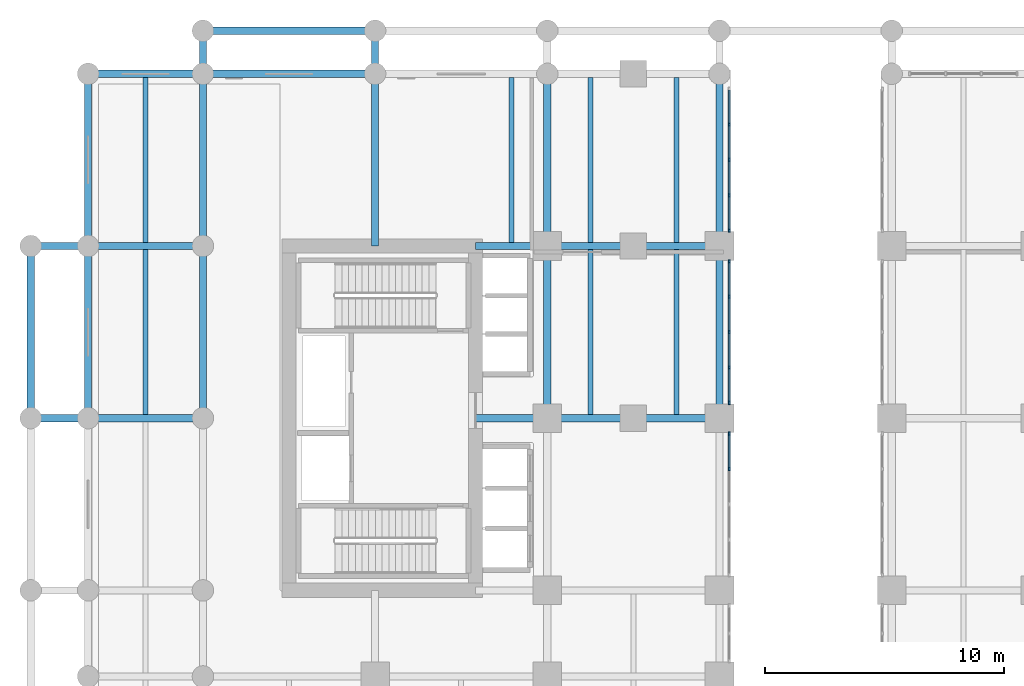
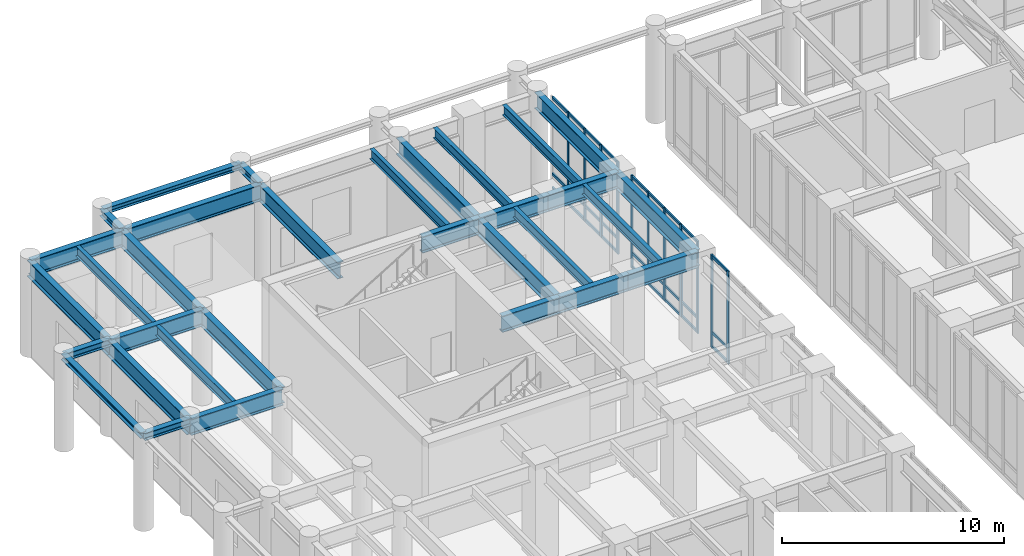
# One storey, part 6 of 24: 38 members, 32 beams, 3 elements without a shape of their own.
"""IFC4 building model written with IfcOpenShell, lengths in metres."""

from ifc_helpers import new_model, si_unit, derived_unit, direction, frame, origin, origin_2d, place, context, subcontext, project, spatial, rectangle, i_section, extrude, source, transform, mapped, material, layer, layer_set, material_profile, profile_set, type_object, type_shapes, element, aggregate, save


model = new_model("IFC4")

# Units and contexts
model_context = context("Model", 3, precision=1e-05, world=origin(), true_north=direction((0.0, 1.0)))
body_context = subcontext(model_context, "Body", "Model", "MODEL_VIEW")
ifc_project = project(units=[si_unit("LENGTHUNIT", "METRE"), si_unit("AREAUNIT", "SQUARE_METRE"), si_unit("VOLUMEUNIT", "CUBIC_METRE"), si_unit("PLANEANGLEUNIT", "RADIAN"), si_unit("MASSUNIT", "GRAM", prefix="KILO"), si_unit("THERMODYNAMICTEMPERATUREUNIT", "KELVIN"), si_unit("POWERUNIT", "WATT"), derived_unit("THERMALTRANSMITTANCEUNIT", [(si_unit("POWERUNIT", "WATT"), 1), (si_unit("AREAUNIT", "SQUARE_METRE"), -1), (si_unit("THERMODYNAMICTEMPERATUREUNIT", "KELVIN"), -1)])], contexts=[model_context])

# Site, building, storey
site_placement = place(None, origin())
site = spatial("IfcSite", under=ifc_project, at=site_placement, CompositionType="ELEMENT")
building_placement = place(site_placement, origin())
building = spatial("IfcBuilding", under=site, at=building_placement, Name="Zahravan Archway Hotel and Residences", CompositionType="ELEMENT")
storey_placement = place(building_placement, frame((0.0, 0.0, 10.800048828125)))
storey = spatial("IfcBuildingStorey", under=building, at=storey_placement, Name="L02", CompositionType="ELEMENT", Elevation=10.800048828125)

# Beams
ifc_material_1 = material(Name="Structural Steel S355J2", Category="steel")
ifc_material_profile_1 = material_profile(ifc_material_1, i_section(OverallWidth=0.300048828125, OverallDepth=0.89990234375, WebThickness=0.0185546875, FlangeThickness=0.034912109375, FilletRadius=0.030029296875, at=origin_2d()), Name="HEB 900", Category="steel")
ifc_profile_set_1 = profile_set([ifc_material_profile_1], Name="Structural Steel S355J2")
beam_type_1 = type_object("IfcBeamType", Name="BM-PRI-HEB900", PredefinedType="BEAM", material=ifc_profile_set_1)
shared_shape_1 = source(origin(), body_context, "Body", "SweptSolid", [
    extrude(i_section(OverallWidth=0.300048828125, OverallDepth=0.89990234375, WebThickness=0.0185546875, FlangeThickness=0.034912109375, FilletRadius=0.030029296875, at=origin_2d()), origin(), (0.0, 0.0, 1.0), 4.800048828125),
])
type_shapes(beam_type_1, [shared_shape_1])
for number, where, z_axis, x_axis, name in (
    (1, (-4.800048828125, 32.39990234375, 4.64990234375), (1.0, 0.0, 0.0), (0.0, 1.0, 0.0), "L02 Primary Girder EW-41"),
    (2, (-4.800048828125, 39.60009765625, 4.64990234375), (1.0, 0.0, 0.0), (0.0, 1.0, 0.0), "L02 Primary Girder EW-46"),
    (3, (-4.800048828125, 46.800048828125, 4.64990234375), (1.0, 0.0, 0.0), (0.0, 1.0, 0.0), "L02 Primary Girder EW-51"),
):
    element("IfcBeam", number, at=place(storey_placement, frame(where, z_axis=z_axis, x_axis=x_axis)), inside=storey, type_object=beam_type_1, Name=name, PredefinedType="BEAM", context=body_context, shape_type="MappedRepresentation", body=[
        mapped(shared_shape_1, transform((0.0, 0.0, 0.0), scale=1.0)),
    ])
shared_shape_2 = source(origin(), body_context, "Body", "SweptSolid", [
    extrude(i_section(OverallWidth=0.300048828125, OverallDepth=0.89990234375, WebThickness=0.0185546875, FlangeThickness=0.034912109375, FilletRadius=0.030029296875, at=origin_2d()), origin(), (0.0, 0.0, 1.0), 7.199951171875),
])
for number, where, z_axis, x_axis, name in (
    (4, (0.0, 46.800048828125, 4.64990234375), (1.0, 0.0, 0.0), (0.0, 1.0, 0.0), "L02 Primary Girder EW-52"),
    (5, (-4.800048828125, 39.60009765625, 4.64990234375), (0.0, 1.0, 0.0), (-1.0, 0.0, 0.0), "L02 Primary Girder NS-68"),
    (6, (0.0, 39.60009765625, 4.64990234375), (0.0, 1.0, 0.0), (-1.0, 0.0, 0.0), "L02 Primary Girder NS-75"),
    (7, (7.199951171875, 39.60009765625, 4.64990234375), (0.0, 1.0, 0.0), (-1.0, 0.0, 0.0), "L02 Primary Girder NS-80"),
    (8, (14.39990234375, 39.60009765625, 4.64990234375), (0.0, 1.0, 0.0), (-1.0, 0.0, 0.0), "L02 Primary Girder NS-87"),
    (9, (21.60009765625, 39.60009765625, 4.64990234375), (0.0, 1.0, 0.0), (-1.0, 0.0, 0.0), "L02 Primary Girder NS-94"),
):
    element("IfcBeam", number, at=place(storey_placement, frame(where, z_axis=z_axis, x_axis=x_axis)), inside=storey, type_object=beam_type_1, Name=name, PredefinedType="BEAM", context=body_context, shape_type="MappedRepresentation", body=[
        mapped(shared_shape_2, transform((0.0, 0.0, 0.0), scale=1.0)),
    ])
shared_shape_3 = source(origin(), body_context, "Body", "SweptSolid", [
    extrude(i_section(OverallWidth=0.300048828125, OverallDepth=0.89990234375, WebThickness=0.0185546875, FlangeThickness=0.034912109375, FilletRadius=0.030029296875, at=origin_2d()), origin(), (0.0, 0.0, 1.0), 7.2001953125),
])
for number, where, z_axis, x_axis, name in (
    (10, (-4.800048828125, 32.39990234375, 4.64990234375), (0.0, 1.0, 0.0), (-1.0, 0.0, 0.0), "L02 Primary Girder NS-67"),
    (11, (0.0, 32.39990234375, 4.64990234375), (0.0, 1.0, 0.0), (-1.0, 0.0, 0.0), "L02 Primary Girder NS-74"),
    (12, (14.39990234375, 32.39990234375, 4.64990234375), (0.0, 1.0, 0.0), (-1.0, 0.0, 0.0), "L02 Primary Girder NS-86"),
    (13, (21.60009765625, 32.39990234375, 4.64990234375), (0.0, 1.0, 0.0), (-1.0, 0.0, 0.0), "L02 Primary Girder NS-93"),
):
    element("IfcBeam", number, at=place(storey_placement, frame(where, z_axis=z_axis, x_axis=x_axis)), inside=storey, type_object=beam_type_1, Name=name, PredefinedType="BEAM", context=body_context, shape_type="MappedRepresentation", body=[
        mapped(shared_shape_3, transform((0.0, 0.0, 0.0), scale=1.0)),
    ])
shared_shape_4 = source(origin(), body_context, "Body", "SweptSolid", [
    extrude(i_section(OverallWidth=0.300048828125, OverallDepth=0.89990234375, WebThickness=0.0185546875, FlangeThickness=0.034912109375, FilletRadius=0.030029296875, at=origin_2d()), origin(), (0.0, 0.0, 1.0), 3.0),
])
for number, where, z_axis, x_axis, name in (
    (14, (11.39990234375, 32.39990234375, 4.64990234375), (1.0, 0.0, 0.0), (0.0, 1.0, 0.0), "L02 Primary Girder EW-42"),
    (15, (11.39990234375, 39.60009765625, 4.64990234375), (1.0, 0.0, 0.0), (0.0, 1.0, 0.0), "L02 Primary Girder EW-47"),
):
    element("IfcBeam", number, at=place(storey_placement, frame(where, z_axis=z_axis, x_axis=x_axis)), inside=storey, type_object=beam_type_1, Name=name, PredefinedType="BEAM", context=body_context, shape_type="MappedRepresentation", body=[
        mapped(shared_shape_4, transform((0.0, 0.0, 0.0), scale=1.0)),
    ])
shared_shape_5 = source(origin(), body_context, "Body", "SweptSolid", [
    extrude(i_section(OverallWidth=0.300048828125, OverallDepth=0.89990234375, WebThickness=0.0185546875, FlangeThickness=0.034912109375, FilletRadius=0.030029296875, at=origin_2d()), origin(), (0.0, 0.0, 1.0), 3.60009765625),
])
for number, where, z_axis, x_axis, name in (
    (16, (14.39990234375, 32.39990234375, 4.64990234375), (1.0, 0.0, 0.0), (0.0, 1.0, 0.0), "L02 Primary Girder EW-43"),
    (17, (18.0, 32.39990234375, 4.64990234375), (1.0, 0.0, 0.0), (0.0, 1.0, 0.0), "L02 Primary Girder EW-44"),
    (18, (14.39990234375, 39.60009765625, 4.64990234375), (1.0, 0.0, 0.0), (0.0, 1.0, 0.0), "L02 Primary Girder EW-48"),
    (19, (18.0, 39.60009765625, 4.64990234375), (1.0, 0.0, 0.0), (0.0, 1.0, 0.0), "L02 Primary Girder EW-49"),
):
    element("IfcBeam", number, at=place(storey_placement, frame(where, z_axis=z_axis, x_axis=x_axis)), inside=storey, type_object=beam_type_1, Name=name, PredefinedType="BEAM", context=body_context, shape_type="MappedRepresentation", body=[
        mapped(shared_shape_5, transform((0.0, 0.0, 0.0), scale=1.0)),
    ])
ifc_material_2 = material(Name="Structural Steel S355JR", Category="steel")
ifc_material_profile_2 = material_profile(ifc_material_2, i_section(OverallWidth=0.2099609375, OverallDepth=0.550048828125, WebThickness=0.010986328125, FlangeThickness=0.01708984375, FilletRadius=0.02392578125, at=origin_2d()), Name="IPE 550", Category="steel")
ifc_profile_set_2 = profile_set([ifc_material_profile_2], Name="Structural Steel S355JR")
beam_type_2 = type_object("IfcBeamType", Name="BM-JST-IPE550", PredefinedType="JOIST", material=ifc_profile_set_2)
shared_shape_6 = source(origin(), body_context, "Body", "SweptSolid", [
    extrude(i_section(OverallWidth=0.2099609375, OverallDepth=0.550048828125, WebThickness=0.010986328125, FlangeThickness=0.01708984375, FilletRadius=0.02392578125, at=origin_2d()), origin(), (0.0, 0.0, 1.0), 6.904052734375),
])
type_shapes(beam_type_2, [shared_shape_6])
for number, where, z_axis, x_axis, name in (
    (20, (-2.39990234375, 39.748046875, 4.824951171875), (0.0, 1.0, 0.0), (-1.0, 0.0, 0.0), "L02 Composite Floor Joist 34"),
    (21, (12.89990234375, 39.748046875, 4.824951171875), (0.0, 1.0, 0.0), (-1.0, 0.0, 0.0), "L02 Composite Floor Joist 35"),
    (22, (16.199951171875, 39.748046875, 4.824951171875), (0.0, 1.0, 0.0), (-1.0, 0.0, 0.0), "L02 Composite Floor Joist 36"),
    (23, (19.800048828125, 39.748046875, 4.824951171875), (0.0, 1.0, 0.0), (-1.0, 0.0, 0.0), "L02 Composite Floor Joist 37"),
):
    element("IfcBeam", number, at=place(storey_placement, frame(where, z_axis=z_axis, x_axis=x_axis)), inside=storey, type_object=beam_type_2, Name=name, PredefinedType="JOIST", context=body_context, shape_type="MappedRepresentation", body=[
        mapped(shared_shape_6, transform((0.0, 0.0, 0.0), scale=1.0)),
    ])
shared_shape_7 = source(origin(), body_context, "Body", "SweptSolid", [
    extrude(i_section(OverallWidth=0.2099609375, OverallDepth=0.550048828125, WebThickness=0.010986328125, FlangeThickness=0.01708984375, FilletRadius=0.02392578125, at=origin_2d()), origin(), (0.0, 0.0, 1.0), 6.90380859375),
])
for number, where, z_axis, x_axis, name in (
    (24, (-2.39990234375, 32.548095703125, 4.824951171875), (0.0, 1.0, 0.0), (-1.0, 0.0, 0.0), "L02 Composite Floor Joist 30"),
    (25, (16.199951171875, 32.548095703125, 4.824951171875), (0.0, 1.0, 0.0), (-1.0, 0.0, 0.0), "L02 Composite Floor Joist 31"),
    (26, (19.800048828125, 32.548095703125, 4.824951171875), (0.0, 1.0, 0.0), (-1.0, 0.0, 0.0), "L02 Composite Floor Joist 32"),
):
    element("IfcBeam", number, at=place(storey_placement, frame(where, z_axis=z_axis, x_axis=x_axis)), inside=storey, type_object=beam_type_2, Name=name, PredefinedType="JOIST", context=body_context, shape_type="MappedRepresentation", body=[
        mapped(shared_shape_7, transform((0.0, 0.0, 0.0), scale=1.0)),
    ])
ifc_material_profile_3 = material_profile(ifc_material_2, i_section(OverallWidth=0.300048828125, OverallDepth=0.39990234375, WebThickness=0.013427734375, FlangeThickness=0.02392578125, FilletRadius=0.027099609375, at=origin_2d()), Name="HEB 400", Category="steel")
ifc_profile_set_3 = profile_set([ifc_material_profile_3], Name="Structural Steel S355JR")
beam_type_3 = type_object("IfcBeamType", Name="BM-PRI-HEB400", PredefinedType="BEAM", material=ifc_profile_set_3)
shared_shape_8 = source(origin(), body_context, "Body", "SweptSolid", [
    extrude(i_section(OverallWidth=0.300048828125, OverallDepth=0.39990234375, WebThickness=0.013427734375, FlangeThickness=0.02392578125, FilletRadius=0.027099609375, at=origin_2d()), origin(), (0.0, 0.0, 1.0), 2.39990234375),
])
for number, where, z_axis, x_axis, name in (
    (27, (-7.199951171875, 32.39990234375, 4.9599609375), (1.0, 0.0, 0.0), (0.0, 1.0, 0.0), "L02 West Colonnade Tie Girder 5"),
    (28, (-7.199951171875, 39.60009765625, 4.9599609375), (1.0, 0.0, 0.0), (0.0, 1.0, 0.0), "L02 West Colonnade Tie Girder 6"),
):
    element("IfcBeam", number, at=place(storey_placement, frame(where, z_axis=z_axis, x_axis=x_axis)), inside=storey, type_object=beam_type_3, Name=name, PredefinedType="BEAM", context=body_context, shape_type="MappedRepresentation", body=[
        mapped(shared_shape_8, transform((0.0, 0.0, 0.0), scale=1.0)),
    ])
ifc_material_profile_4 = material_profile(ifc_material_2, i_section(OverallWidth=0.300048828125, OverallDepth=0.320068359375, WebThickness=0.011474609375, FlangeThickness=0.0205078125, FilletRadius=0.027099609375, at=origin_2d()), Name="HEB 320", Category="steel")
ifc_profile_set_4 = profile_set([ifc_material_profile_4], Name="Structural Steel S355JR")
beam_type_4 = type_object("IfcBeamType", Name="BM-SPN-HEB320", PredefinedType="SPANDREL", material=ifc_profile_set_4)
shared_shape_9 = source(origin(), body_context, "Body", "SweptSolid", [
    extrude(i_section(OverallWidth=0.300048828125, OverallDepth=0.320068359375, WebThickness=0.011474609375, FlangeThickness=0.0205078125, FilletRadius=0.027099609375, at=origin_2d()), origin(), (0.0, 0.0, 1.0), 7.199951171875),
])
type_shapes(beam_type_4, [shared_shape_9])
beam_1_placement = place(storey_placement, frame((0.0, 48.60009765625, 5.0), z_axis=(1.0, 0.0, 0.0), x_axis=(0.0, 1.0, 0.0)))
element("IfcBeam", 29, at=beam_1_placement, inside=storey, type_object=beam_type_4, Name="L02 North Colonnade Spandrel 1", PredefinedType="SPANDREL", context=body_context, shape_type="MappedRepresentation", body=[
    mapped(shared_shape_9, transform((0.0, 0.0, 0.0), scale=1.0)),
])
shared_shape_10 = source(origin(), body_context, "Body", "SweptSolid", [
    extrude(i_section(OverallWidth=0.300048828125, OverallDepth=0.320068359375, WebThickness=0.011474609375, FlangeThickness=0.0205078125, FilletRadius=0.027099609375, at=origin_2d()), origin(), (0.0, 0.0, 1.0), 7.2001953125),
])
beam_2_placement = place(storey_placement, frame((-7.199951171875, 32.39990234375, 5.0), z_axis=(0.0, 1.0, 0.0), x_axis=(-1.0, 0.0, 0.0)))
element("IfcBeam", 30, at=beam_2_placement, inside=storey, type_object=beam_type_4, Name="L02 West Colonnade Spandrel 5", PredefinedType="SPANDREL", context=body_context, shape_type="MappedRepresentation", body=[
    mapped(shared_shape_10, transform((0.0, 0.0, 0.0), scale=1.0)),
])
shared_shape_11 = source(origin(), body_context, "Body", "SweptSolid", [
    extrude(i_section(OverallWidth=0.300048828125, OverallDepth=0.39990234375, WebThickness=0.013427734375, FlangeThickness=0.02392578125, FilletRadius=0.027099609375, at=origin_2d()), origin(), (0.0, 0.0, 1.0), 1.800048828125),
])
for number, where, z_axis, x_axis, name in (
    (31, (0.0, 46.800048828125, 4.9599609375), (0.0, 1.0, 0.0), (-1.0, 0.0, 0.0), "L02 North Colonnade Tie Girder 1"),
    (32, (7.199951171875, 46.800048828125, 4.9599609375), (0.0, 1.0, 0.0), (-1.0, 0.0, 0.0), "L02 North Colonnade Tie Girder 2"),
):
    element("IfcBeam", number, at=place(storey_placement, frame(where, z_axis=z_axis, x_axis=x_axis)), inside=storey, type_object=beam_type_3, Name=name, PredefinedType="BEAM", context=body_context, shape_type="MappedRepresentation", body=[
        mapped(shared_shape_11, transform((0.0, 0.0, 0.0), scale=1.0)),
    ])

# Curtain wall, members
ifc_material_3 = material(Name="Bronze-Anodized Unitised Aluminium & Low-E Glass", Category="aluminium")
ifc_layer = layer(ifc_material_3, 0.179931640625, Name="Bronze-Anodized Unitised Aluminium & Low-E Glass", Category="aluminium")
ifc_layer_set = layer_set([ifc_layer], Name="Bronze-Anodized Unitised Aluminium & Low-E Glass")
curtain_wall_type = type_object("IfcCurtainWallType", Name="CW-POD-ARCH", PredefinedType="NOTDEFINED", material=ifc_layer_set)
curtain_wall_1_placement = place(storey_placement, origin())
curtain_wall_1 = element("IfcCurtainWall", 33, at=curtain_wall_1_placement, inside=storey, type_object=curtain_wall_type, Name="L02 Curtain Wall CW-PORTW-L02-7", PredefinedType="NOTDEFINED")
ifc_material_4 = material(Name="Bronze-Anodized Extruded Aluminium", Category="aluminium")
ifc_material_profile_5 = material_profile(ifc_material_4, rectangle(XDim=0.080078125, YDim=0.139892578125, at=origin_2d()), Name="TRN 80x140", Category="aluminium")
ifc_profile_set_5 = profile_set([ifc_material_profile_5], Name="Bronze-Anodized Extruded Aluminium")
member_type_1 = type_object("IfcMemberType", Name="CWM-TRN-140", PredefinedType="USERDEFINED", material=ifc_profile_set_5)
shared_shape_12 = source(origin(), body_context, "Body", "SweptSolid", [
    extrude(rectangle(XDim=0.080078125, YDim=0.139892578125, at=origin_2d()), origin(), (0.0, 0.0, 1.0), 1.397216796875),
])
member_1_placement = place(storey_placement, frame((22.0, 41.7626953125, 0.070068359375), z_axis=(0.0, 1.0, 0.0), x_axis=(-1.0, 0.0, 0.0)))
member_1 = element("IfcMember", 34, at=member_1_placement, type_object=member_type_1, Name="CW-PORTW-L02-7 Transom 1-1", ObjectType="TRANSOM", PredefinedType="USERDEFINED", context=body_context, shape_type="MappedRepresentation", body=[
    mapped(shared_shape_12, transform((0.0, 0.0, 0.0), scale=1.0)),
])
member_2_placement = place(storey_placement, frame((22.0, 41.7626953125, 0.849853515625), z_axis=(0.0, 1.0, 0.0), x_axis=(-1.0, 0.0, 0.0)))
member_2 = element("IfcMember", 35, at=member_2_placement, type_object=member_type_1, Name="CW-PORTW-L02-7 Transom 1-2", ObjectType="TRANSOM", PredefinedType="USERDEFINED", context=body_context, shape_type="MappedRepresentation", body=[
    mapped(shared_shape_12, transform((0.0, 0.0, 0.0), scale=1.0)),
])
member_3_placement = place(storey_placement, frame((22.0, 41.7626953125, 5.030029296875), z_axis=(0.0, 1.0, 0.0), x_axis=(-1.0, 0.0, 0.0)))
member_3 = element("IfcMember", 36, at=member_3_placement, type_object=member_type_1, Name="CW-PORTW-L02-7 Transom 1-3", ObjectType="TRANSOM", PredefinedType="USERDEFINED", context=body_context, shape_type="MappedRepresentation", body=[
    mapped(shared_shape_12, transform((0.0, 0.0, 0.0), scale=1.0)),
])

curtain_wall_2_placement = place(storey_placement, origin())
curtain_wall_2 = element("IfcCurtainWall", 37, at=curtain_wall_2_placement, inside=storey, type_object=curtain_wall_type, Name="L02 Curtain Wall CW-PORTW-L02-5", PredefinedType="NOTDEFINED")
shared_shape_13 = source(origin(), body_context, "Body", "SweptSolid", [
    extrude(rectangle(XDim=0.080078125, YDim=0.139892578125, at=origin_2d()), origin(), (0.0, 0.0, 1.0), 1.3974609375),
])
member_4_placement = place(storey_placement, frame((22.0, 30.3173828125, 0.070068359375), z_axis=(0.0, 1.0, 0.0), x_axis=(-1.0, 0.0, 0.0)))
member_4 = element("IfcMember", 38, at=member_4_placement, type_object=member_type_1, Name="CW-PORTW-L02-5 Transom 3-1", ObjectType="TRANSOM", PredefinedType="USERDEFINED", context=body_context, shape_type="MappedRepresentation", body=[
    mapped(shared_shape_13, transform((0.0, 0.0, 0.0), scale=1.0)),
])
member_5_placement = place(storey_placement, frame((22.0, 30.3173828125, 0.849853515625), z_axis=(0.0, 1.0, 0.0), x_axis=(-1.0, 0.0, 0.0)))
member_5 = element("IfcMember", 39, at=member_5_placement, type_object=member_type_1, Name="CW-PORTW-L02-5 Transom 3-2", ObjectType="TRANSOM", PredefinedType="USERDEFINED", context=body_context, shape_type="MappedRepresentation", body=[
    mapped(shared_shape_13, transform((0.0, 0.0, 0.0), scale=1.0)),
])
member_6_placement = place(storey_placement, frame((22.0, 30.3173828125, 5.030029296875), z_axis=(0.0, 1.0, 0.0), x_axis=(-1.0, 0.0, 0.0)))
member_6 = element("IfcMember", 40, at=member_6_placement, type_object=member_type_1, Name="CW-PORTW-L02-5 Transom 3-3", ObjectType="TRANSOM", PredefinedType="USERDEFINED", context=body_context, shape_type="MappedRepresentation", body=[
    mapped(shared_shape_13, transform((0.0, 0.0, 0.0), scale=1.0)),
])

curtain_wall_3_placement = place(storey_placement, origin())
curtain_wall_3 = element("IfcCurtainWall", 41, at=curtain_wall_3_placement, inside=storey, type_object=curtain_wall_type, Name="L02 Curtain Wall CW-PORTW-L02-6", PredefinedType="NOTDEFINED")
member_7_placement = place(storey_placement, frame((22.0, 33.085205078125, 0.070068359375), z_axis=(0.0, 1.0, 0.0), x_axis=(-1.0, 0.0, 0.0)))
member_7 = element("IfcMember", 42, at=member_7_placement, type_object=member_type_1, Name="CW-PORTW-L02-6 Transom 0-1", ObjectType="TRANSOM", PredefinedType="USERDEFINED", context=body_context, shape_type="MappedRepresentation", body=[
    mapped(shared_shape_13, transform((0.0, 0.0, 0.0), scale=1.0)),
])
member_8_placement = place(storey_placement, frame((22.0, 33.085205078125, 0.849853515625), z_axis=(0.0, 1.0, 0.0), x_axis=(-1.0, 0.0, 0.0)))
member_8 = element("IfcMember", 43, at=member_8_placement, type_object=member_type_1, Name="CW-PORTW-L02-6 Transom 0-2", ObjectType="TRANSOM", PredefinedType="USERDEFINED", context=body_context, shape_type="MappedRepresentation", body=[
    mapped(shared_shape_13, transform((0.0, 0.0, 0.0), scale=1.0)),
])
member_9_placement = place(storey_placement, frame((22.0, 33.085205078125, 5.030029296875), z_axis=(0.0, 1.0, 0.0), x_axis=(-1.0, 0.0, 0.0)))
member_9 = element("IfcMember", 44, at=member_9_placement, type_object=member_type_1, Name="CW-PORTW-L02-6 Transom 0-3", ObjectType="TRANSOM", PredefinedType="USERDEFINED", context=body_context, shape_type="MappedRepresentation", body=[
    mapped(shared_shape_13, transform((0.0, 0.0, 0.0), scale=1.0)),
])
member_10_placement = place(storey_placement, frame((22.0, 34.5625, 0.070068359375), z_axis=(0.0, 1.0, 0.0), x_axis=(-1.0, 0.0, 0.0)))
member_10 = element("IfcMember", 45, at=member_10_placement, type_object=member_type_1, Name="CW-PORTW-L02-6 Transom 1-1", ObjectType="TRANSOM", PredefinedType="USERDEFINED", context=body_context, shape_type="MappedRepresentation", body=[
    mapped(shared_shape_13, transform((0.0, 0.0, 0.0), scale=1.0)),
])
member_11_placement = place(storey_placement, frame((22.0, 34.5625, 0.849853515625), z_axis=(0.0, 1.0, 0.0), x_axis=(-1.0, 0.0, 0.0)))
member_11 = element("IfcMember", 46, at=member_11_placement, type_object=member_type_1, Name="CW-PORTW-L02-6 Transom 1-2", ObjectType="TRANSOM", PredefinedType="USERDEFINED", context=body_context, shape_type="MappedRepresentation", body=[
    mapped(shared_shape_13, transform((0.0, 0.0, 0.0), scale=1.0)),
])
member_12_placement = place(storey_placement, frame((22.0, 34.5625, 5.030029296875), z_axis=(0.0, 1.0, 0.0), x_axis=(-1.0, 0.0, 0.0)))
member_12 = element("IfcMember", 47, at=member_12_placement, type_object=member_type_1, Name="CW-PORTW-L02-6 Transom 1-3", ObjectType="TRANSOM", PredefinedType="USERDEFINED", context=body_context, shape_type="MappedRepresentation", body=[
    mapped(shared_shape_13, transform((0.0, 0.0, 0.0), scale=1.0)),
])
member_13_placement = place(storey_placement, frame((22.0, 36.0400390625, 0.070068359375), z_axis=(0.0, 1.0, 0.0), x_axis=(-1.0, 0.0, 0.0)))
member_13 = element("IfcMember", 48, at=member_13_placement, type_object=member_type_1, Name="CW-PORTW-L02-6 Transom 2-1", ObjectType="TRANSOM", PredefinedType="USERDEFINED", context=body_context, shape_type="MappedRepresentation", body=[
    mapped(shared_shape_13, transform((0.0, 0.0, 0.0), scale=1.0)),
])
member_14_placement = place(storey_placement, frame((22.0, 36.0400390625, 0.849853515625), z_axis=(0.0, 1.0, 0.0), x_axis=(-1.0, 0.0, 0.0)))
member_14 = element("IfcMember", 49, at=member_14_placement, type_object=member_type_1, Name="CW-PORTW-L02-6 Transom 2-2", ObjectType="TRANSOM", PredefinedType="USERDEFINED", context=body_context, shape_type="MappedRepresentation", body=[
    mapped(shared_shape_13, transform((0.0, 0.0, 0.0), scale=1.0)),
])
member_15_placement = place(storey_placement, frame((22.0, 36.0400390625, 5.030029296875), z_axis=(0.0, 1.0, 0.0), x_axis=(-1.0, 0.0, 0.0)))
member_15 = element("IfcMember", 50, at=member_15_placement, type_object=member_type_1, Name="CW-PORTW-L02-6 Transom 2-3", ObjectType="TRANSOM", PredefinedType="USERDEFINED", context=body_context, shape_type="MappedRepresentation", body=[
    mapped(shared_shape_13, transform((0.0, 0.0, 0.0), scale=1.0)),
])
member_16_placement = place(storey_placement, frame((22.0, 37.517333984375, 0.070068359375), z_axis=(0.0, 1.0, 0.0), x_axis=(-1.0, 0.0, 0.0)))
member_16 = element("IfcMember", 51, at=member_16_placement, type_object=member_type_1, Name="CW-PORTW-L02-6 Transom 3-1", ObjectType="TRANSOM", PredefinedType="USERDEFINED", context=body_context, shape_type="MappedRepresentation", body=[
    mapped(shared_shape_13, transform((0.0, 0.0, 0.0), scale=1.0)),
])
member_17_placement = place(storey_placement, frame((22.0, 37.517333984375, 0.849853515625), z_axis=(0.0, 1.0, 0.0), x_axis=(-1.0, 0.0, 0.0)))
member_17 = element("IfcMember", 52, at=member_17_placement, type_object=member_type_1, Name="CW-PORTW-L02-6 Transom 3-2", ObjectType="TRANSOM", PredefinedType="USERDEFINED", context=body_context, shape_type="MappedRepresentation", body=[
    mapped(shared_shape_13, transform((0.0, 0.0, 0.0), scale=1.0)),
])
member_18_placement = place(storey_placement, frame((22.0, 37.517333984375, 5.030029296875), z_axis=(0.0, 1.0, 0.0), x_axis=(-1.0, 0.0, 0.0)))
member_18 = element("IfcMember", 53, at=member_18_placement, type_object=member_type_1, Name="CW-PORTW-L02-6 Transom 3-3", ObjectType="TRANSOM", PredefinedType="USERDEFINED", context=body_context, shape_type="MappedRepresentation", body=[
    mapped(shared_shape_13, transform((0.0, 0.0, 0.0), scale=1.0)),
])

# Member
member_19_placement = place(storey_placement, frame((22.0, 40.28515625, 0.070068359375), z_axis=(0.0, 1.0, 0.0), x_axis=(-1.0, 0.0, 0.0)))
member_19 = element("IfcMember", 54, at=member_19_placement, type_object=member_type_1, Name="CW-PORTW-L02-7 Transom 0-1", ObjectType="TRANSOM", PredefinedType="USERDEFINED", context=body_context, shape_type="MappedRepresentation", body=[
    mapped(shared_shape_13, transform((0.0, 0.0, 0.0), scale=1.0)),
])

member_20_placement = place(storey_placement, frame((22.0, 40.28515625, 0.849853515625), z_axis=(0.0, 1.0, 0.0), x_axis=(-1.0, 0.0, 0.0)))
member_20 = element("IfcMember", 55, at=member_20_placement, type_object=member_type_1, Name="CW-PORTW-L02-7 Transom 0-2", ObjectType="TRANSOM", PredefinedType="USERDEFINED", context=body_context, shape_type="MappedRepresentation", body=[
    mapped(shared_shape_13, transform((0.0, 0.0, 0.0), scale=1.0)),
])

member_21_placement = place(storey_placement, frame((22.0, 40.28515625, 5.030029296875), z_axis=(0.0, 1.0, 0.0), x_axis=(-1.0, 0.0, 0.0)))
member_21 = element("IfcMember", 56, at=member_21_placement, type_object=member_type_1, Name="CW-PORTW-L02-7 Transom 0-3", ObjectType="TRANSOM", PredefinedType="USERDEFINED", context=body_context, shape_type="MappedRepresentation", body=[
    mapped(shared_shape_13, transform((0.0, 0.0, 0.0), scale=1.0)),
])

member_22_placement = place(storey_placement, frame((22.0, 43.239990234375, 0.070068359375), z_axis=(0.0, 1.0, 0.0), x_axis=(-1.0, 0.0, 0.0)))
member_22 = element("IfcMember", 57, at=member_22_placement, type_object=member_type_1, Name="CW-PORTW-L02-7 Transom 2-1", ObjectType="TRANSOM", PredefinedType="USERDEFINED", context=body_context, shape_type="MappedRepresentation", body=[
    mapped(shared_shape_13, transform((0.0, 0.0, 0.0), scale=1.0)),
])

member_23_placement = place(storey_placement, frame((22.0, 43.239990234375, 0.849853515625), z_axis=(0.0, 1.0, 0.0), x_axis=(-1.0, 0.0, 0.0)))
member_23 = element("IfcMember", 58, at=member_23_placement, type_object=member_type_1, Name="CW-PORTW-L02-7 Transom 2-2", ObjectType="TRANSOM", PredefinedType="USERDEFINED", context=body_context, shape_type="MappedRepresentation", body=[
    mapped(shared_shape_13, transform((0.0, 0.0, 0.0), scale=1.0)),
])

member_24_placement = place(storey_placement, frame((22.0, 43.239990234375, 5.030029296875), z_axis=(0.0, 1.0, 0.0), x_axis=(-1.0, 0.0, 0.0)))
member_24 = element("IfcMember", 59, at=member_24_placement, type_object=member_type_1, Name="CW-PORTW-L02-7 Transom 2-3", ObjectType="TRANSOM", PredefinedType="USERDEFINED", context=body_context, shape_type="MappedRepresentation", body=[
    mapped(shared_shape_13, transform((0.0, 0.0, 0.0), scale=1.0)),
])

member_25_placement = place(storey_placement, frame((22.0, 44.71728515625, 0.070068359375), z_axis=(0.0, 1.0, 0.0), x_axis=(-1.0, 0.0, 0.0)))
member_25 = element("IfcMember", 60, at=member_25_placement, type_object=member_type_1, Name="CW-PORTW-L02-7 Transom 3-1", ObjectType="TRANSOM", PredefinedType="USERDEFINED", context=body_context, shape_type="MappedRepresentation", body=[
    mapped(shared_shape_13, transform((0.0, 0.0, 0.0), scale=1.0)),
])

member_26_placement = place(storey_placement, frame((22.0, 44.71728515625, 0.849853515625), z_axis=(0.0, 1.0, 0.0), x_axis=(-1.0, 0.0, 0.0)))
member_26 = element("IfcMember", 61, at=member_26_placement, type_object=member_type_1, Name="CW-PORTW-L02-7 Transom 3-2", ObjectType="TRANSOM", PredefinedType="USERDEFINED", context=body_context, shape_type="MappedRepresentation", body=[
    mapped(shared_shape_13, transform((0.0, 0.0, 0.0), scale=1.0)),
])

member_27_placement = place(storey_placement, frame((22.0, 44.71728515625, 5.030029296875), z_axis=(0.0, 1.0, 0.0), x_axis=(-1.0, 0.0, 0.0)))
member_27 = element("IfcMember", 62, at=member_27_placement, type_object=member_type_1, Name="CW-PORTW-L02-7 Transom 3-3", ObjectType="TRANSOM", PredefinedType="USERDEFINED", context=body_context, shape_type="MappedRepresentation", body=[
    mapped(shared_shape_13, transform((0.0, 0.0, 0.0), scale=1.0)),
])

ifc_material_profile_6 = material_profile(ifc_material_4, rectangle(XDim=0.080078125, YDim=0.159912109375, at=origin_2d()), Name="MUL 80x160", Category="aluminium")
ifc_profile_set_6 = profile_set([ifc_material_profile_6], Name="Bronze-Anodized Extruded Aluminium")
member_type_2 = type_object("IfcMemberType", Name="CWM-MUL-160", PredefinedType="MULLION", material=ifc_profile_set_6)
shared_shape_14 = source(origin(), body_context, "Body", "SweptSolid", [
    extrude(rectangle(XDim=0.080078125, YDim=0.159912109375, at=origin_2d()), origin(), (0.0, 0.0, 1.0), 5.099853515625),
])
member_28_placement = place(storey_placement, frame((22.0, 30.27734375, 0.0), z_axis=(0.0, 0.0, 1.0), x_axis=(1.0, 0.0, 0.0)))
member_28 = element("IfcMember", 63, at=member_28_placement, type_object=member_type_2, Name="CW-PORTW-L02-5 Mullion 3", PredefinedType="MULLION", context=body_context, shape_type="MappedRepresentation", body=[
    mapped(shared_shape_14, transform((0.0, 0.0, 0.0), scale=1.0)),
])

member_29_placement = place(storey_placement, frame((22.0, 31.7548828125, 0.0), z_axis=(0.0, 0.0, 1.0), x_axis=(1.0, 0.0, 0.0)))
member_29 = element("IfcMember", 64, at=member_29_placement, type_object=member_type_2, Name="CW-PORTW-L02-5 Mullion 4", PredefinedType="MULLION", context=body_context, shape_type="MappedRepresentation", body=[
    mapped(shared_shape_14, transform((0.0, 0.0, 0.0), scale=1.0)),
])

aggregate(curtain_wall_2, [member_28, member_29, member_4, member_5, member_6])

member_30_placement = place(storey_placement, frame((22.0, 33.045166015625, 0.0), z_axis=(0.0, 0.0, 1.0), x_axis=(1.0, 0.0, 0.0)))
member_30 = element("IfcMember", 65, at=member_30_placement, type_object=member_type_2, Name="CW-PORTW-L02-6 Mullion 0", PredefinedType="MULLION", context=body_context, shape_type="MappedRepresentation", body=[
    mapped(shared_shape_14, transform((0.0, 0.0, 0.0), scale=1.0)),
])

member_31_placement = place(storey_placement, frame((22.0, 34.522705078125, 0.0), z_axis=(0.0, 0.0, 1.0), x_axis=(1.0, 0.0, 0.0)))
member_31 = element("IfcMember", 66, at=member_31_placement, type_object=member_type_2, Name="CW-PORTW-L02-6 Mullion 1", PredefinedType="MULLION", context=body_context, shape_type="MappedRepresentation", body=[
    mapped(shared_shape_14, transform((0.0, 0.0, 0.0), scale=1.0)),
])

member_32_placement = place(storey_placement, frame((22.0, 36.0, 0.0), z_axis=(0.0, 0.0, 1.0), x_axis=(1.0, 0.0, 0.0)))
member_32 = element("IfcMember", 67, at=member_32_placement, type_object=member_type_2, Name="CW-PORTW-L02-6 Mullion 2", PredefinedType="MULLION", context=body_context, shape_type="MappedRepresentation", body=[
    mapped(shared_shape_14, transform((0.0, 0.0, 0.0), scale=1.0)),
])

member_33_placement = place(storey_placement, frame((22.0, 37.477294921875, 0.0), z_axis=(0.0, 0.0, 1.0), x_axis=(1.0, 0.0, 0.0)))
member_33 = element("IfcMember", 68, at=member_33_placement, type_object=member_type_2, Name="CW-PORTW-L02-6 Mullion 3", PredefinedType="MULLION", context=body_context, shape_type="MappedRepresentation", body=[
    mapped(shared_shape_14, transform((0.0, 0.0, 0.0), scale=1.0)),
])

member_34_placement = place(storey_placement, frame((22.0, 38.954833984375, 0.0), z_axis=(0.0, 0.0, 1.0), x_axis=(1.0, 0.0, 0.0)))
member_34 = element("IfcMember", 69, at=member_34_placement, type_object=member_type_2, Name="CW-PORTW-L02-6 Mullion 4", PredefinedType="MULLION", context=body_context, shape_type="MappedRepresentation", body=[
    mapped(shared_shape_14, transform((0.0, 0.0, 0.0), scale=1.0)),
])

aggregate(curtain_wall_3, [member_30, member_31, member_32, member_33, member_34, member_7, member_8, member_9, member_10, member_11, member_12, member_13, member_14, member_15, member_16, member_17, member_18])

member_35_placement = place(storey_placement, frame((22.0, 40.2451171875, 0.0), z_axis=(0.0, 0.0, 1.0), x_axis=(1.0, 0.0, 0.0)))
member_35 = element("IfcMember", 70, at=member_35_placement, type_object=member_type_2, Name="CW-PORTW-L02-7 Mullion 0", PredefinedType="MULLION", context=body_context, shape_type="MappedRepresentation", body=[
    mapped(shared_shape_14, transform((0.0, 0.0, 0.0), scale=1.0)),
])

member_36_placement = place(storey_placement, frame((22.0, 41.72265625, 0.0), z_axis=(0.0, 0.0, 1.0), x_axis=(1.0, 0.0, 0.0)))
member_36 = element("IfcMember", 71, at=member_36_placement, type_object=member_type_2, Name="CW-PORTW-L02-7 Mullion 1", PredefinedType="MULLION", context=body_context, shape_type="MappedRepresentation", body=[
    mapped(shared_shape_14, transform((0.0, 0.0, 0.0), scale=1.0)),
])

member_37_placement = place(storey_placement, frame((22.0, 43.199951171875, 0.0), z_axis=(0.0, 0.0, 1.0), x_axis=(1.0, 0.0, 0.0)))
member_37 = element("IfcMember", 72, at=member_37_placement, type_object=member_type_2, Name="CW-PORTW-L02-7 Mullion 2", PredefinedType="MULLION", context=body_context, shape_type="MappedRepresentation", body=[
    mapped(shared_shape_14, transform((0.0, 0.0, 0.0), scale=1.0)),
])

member_38_placement = place(storey_placement, frame((22.0, 44.677490234375, 0.0), z_axis=(0.0, 0.0, 1.0), x_axis=(1.0, 0.0, 0.0)))
member_38 = element("IfcMember", 73, at=member_38_placement, type_object=member_type_2, Name="CW-PORTW-L02-7 Mullion 3", PredefinedType="MULLION", context=body_context, shape_type="MappedRepresentation", body=[
    mapped(shared_shape_14, transform((0.0, 0.0, 0.0), scale=1.0)),
])

aggregate(curtain_wall_1, [member_35, member_36, member_37, member_38, member_19, member_20, member_21, member_1, member_2, member_3, member_22, member_23, member_24, member_25, member_26, member_27])

save(model, "model.ifc")
